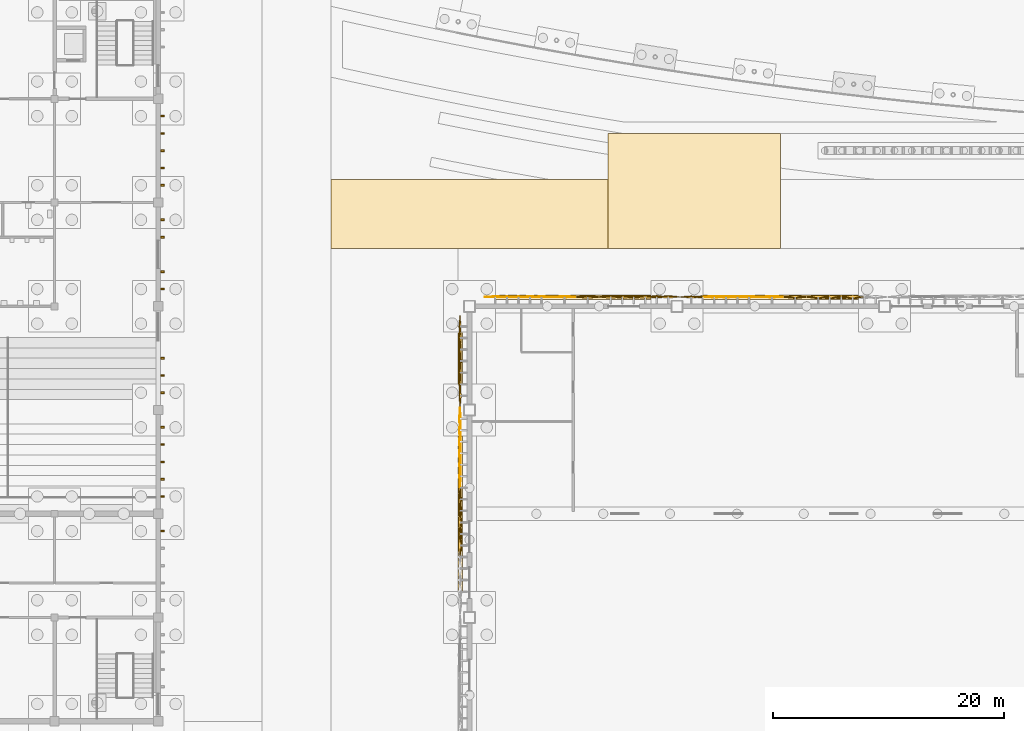
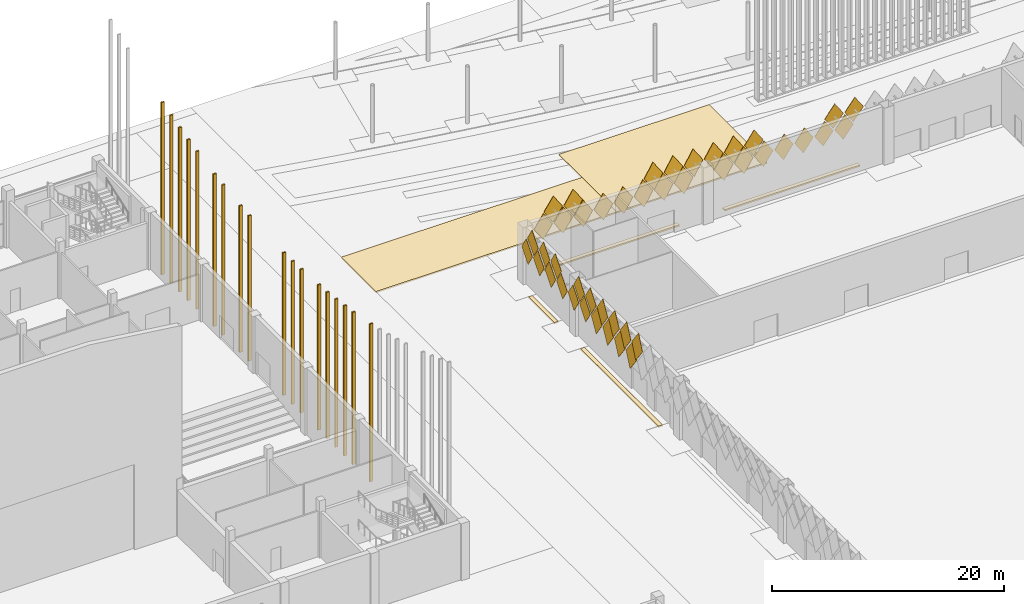
# One storey, part 169 of 198: 68 coverings.
"""IFC4 building model written with IfcOpenShell, lengths in metres."""

from ifc_helpers import new_model, si_unit, direction, frame, origin, origin_2d, place, context, subcontext, project, spatial, polyline, rectangle, outline, extrude, material, layer, layer_set, material_profile, profile_set, type_object, element, save


model = new_model("IFC4")

# Units and contexts
model_context = context("Model", 3, precision=1e-05, world=origin(), true_north=direction((0.0, 1.0)))
body_context = subcontext(model_context, "Body", "Model", "MODEL_VIEW")
ifc_project = project(units=[si_unit("LENGTHUNIT", "METRE"), si_unit("AREAUNIT", "SQUARE_METRE"), si_unit("VOLUMEUNIT", "CUBIC_METRE"), si_unit("PLANEANGLEUNIT", "RADIAN"), si_unit("MASSUNIT", "GRAM", prefix="KILO")], contexts=[model_context])

# Site, building, storey
site_placement = place(None, origin())
site = spatial("IfcSite", under=ifc_project, at=site_placement, CompositionType="ELEMENT")
building_placement = place(site_placement, origin())
building = spatial("IfcBuilding", under=site, at=building_placement, Name="Opaline Strait Convention Centre", CompositionType="ELEMENT")
storey_placement = place(building_placement, origin())
storey = spatial("IfcBuildingStorey", under=building, at=storey_placement, Name="L00", CompositionType="ELEMENT", Elevation=0.0)

# Coverings
ifc_material_1 = material(Name="White ceramic-faced aluminium tile", Category="aluminium")
ifc_material_profile_1 = material_profile(ifc_material_1, outline(polyline([(0.927978515625, 0.0), (0.0, 1.39208984375), (-0.927978515625, 0.0), (0.0, -1.39208984375), (0.927978515625, 0.0)])), Name="Diamond tile 1856x2784")
ifc_profile_set_1 = profile_set([ifc_material_profile_1], Name="White ceramic-faced aluminium tile")
covering_type_1 = type_object("IfcCoveringType", Name="Diamond wall tile 1856x2784x30 pivot 1 deg", PredefinedType="CLADDING", material=ifc_profile_set_1)
for number, where, z_axis, x_axis, name in (
    (1, (105.25, 153.800048828125, 4.39208984375), (0.0, 0.999702690643, -0.024382992455), (-1.0, 0.0, 0.0), "Wall tile XT02 N"),
    (2, (103.25, 153.800048828125, 4.39208984375), (0.0, 0.999867829764, 0.016258013492), (-1.0, 0.0, 0.0), "Wall tile XT02 N"),
    (3, (104.25, 153.800048828125, 5.89208984375), (0.0, 0.999702690643, -0.024382992455), (-1.0, 0.0, 0.0), "Wall tile XT02 N"),
    (4, (102.25, 153.800048828125, 5.89208984375), (0.0, 0.999867829764, 0.016258013492), (-1.0, 0.0, 0.0), "Wall tile XT02 N"),
):
    element("IfcCovering", number, at=place(storey_placement, frame(where, z_axis=z_axis, x_axis=x_axis)), inside=storey, type_object=covering_type_1, Name=name, PredefinedType="CLADDING", context=body_context, shape_type="SweptSolid", body=[
        extrude(outline(polyline([(0.927978515625, 0.0), (0.0, 1.39208984375), (-0.927978515625, 0.0), (0.0, -1.39208984375), (0.927978515625, 0.0)])), origin(), (0.0, 0.0, 1.0), 0.030029296875),
    ])
ifc_material_profile_2 = material_profile(ifc_material_1, outline(polyline([(0.927978515625, 0.0), (0.0, 1.39208984375), (-0.927978515625, 0.0), (0.0, -1.39208984375), (0.927978515625, 0.0)])), Name="Diamond tile 1856x2784")
ifc_profile_set_2 = profile_set([ifc_material_profile_2], Name="White ceramic-faced aluminium tile")
covering_type_2 = type_object("IfcCoveringType", Name="Diamond wall tile 1856x2784x30 pivot 1.5 deg", PredefinedType="CLADDING", material=ifc_profile_set_2)
for number, where, z_axis, x_axis, name in (
    (5, (107.25, 153.800048828125, 4.39208984375), (0.0, 0.999471633277, -0.032503142546), (-1.0, 0.0, 0.0), "Wall tile XT03 N"),
    (6, (101.25, 153.800048828125, 4.39208984375), (0.0, 0.999702690643, 0.024382992455), (-1.0, 0.0, 0.0), "Wall tile XT03 N"),
):
    element("IfcCovering", number, at=place(storey_placement, frame(where, z_axis=z_axis, x_axis=x_axis)), inside=storey, type_object=covering_type_2, Name=name, PredefinedType="CLADDING", context=body_context, shape_type="SweptSolid", body=[
        extrude(outline(polyline([(0.927978515625, 0.0), (0.0, 1.39208984375), (-0.927978515625, 0.0), (0.0, -1.39208984375), (0.927978515625, 0.0)])), origin(), (0.0, 0.0, 1.0), 0.030029296875),
    ])
ifc_material_profile_3 = material_profile(ifc_material_1, outline(polyline([(0.927978515625, 0.0), (0.0, 1.39208984375), (-0.927978515625, 0.0), (0.0, -1.39208984375), (0.927978515625, 0.0)])), Name="Diamond tile 1856x2784")
ifc_profile_set_3 = profile_set([ifc_material_profile_3], Name="White ceramic-faced aluminium tile")
covering_type_3 = type_object("IfcCoveringType", Name="Diamond wall tile 1856x2784x30 pivot 2 deg", PredefinedType="CLADDING", material=ifc_profile_set_3)
for number, where, z_axis, x_axis, name in (
    (7, (123.25, 153.800048828125, 4.39208984375), (0.0, 0.999471633277, 0.032503142546), (-1.0, 0.0, 0.0), "Wall tile XT04 N"),
    (8, (121.25, 153.800048828125, 4.39208984375), (0.0, 0.999174794796, -0.040616861577), (-1.0, 0.0, 0.0), "Wall tile XT04 N"),
    (9, (122.25, 153.800048828125, 5.89208984375), (0.0, 0.999471633277, 0.032503142546), (-1.0, 0.0, 0.0), "Wall tile XT04 N"),
    (10, (120.25, 153.800048828125, 5.89208984375), (0.0, 0.999174794796, -0.040616861577), (-1.0, 0.0, 0.0), "Wall tile XT04 N"),
    (11, (98.199951171875, 143.25, 4.39208984375), (-0.999174794796, 0.0, -0.040616861577), (0.0, -1.0, 0.0), "Wall tile XT04 W"),
    (12, (98.199951171875, 141.25, 4.39208984375), (-0.999174794796, 0.0, -0.040616861577), (0.0, -1.0, 0.0), "Wall tile XT04 W"),
    (13, (98.199951171875, 139.25, 4.39208984375), (-0.999471633277, 0.0, 0.032503142546), (0.0, -1.0, 0.0), "Wall tile XT04 W"),
    (14, (98.199951171875, 142.25, 5.89208984375), (-0.999174794796, 0.0, -0.040616861577), (0.0, -1.0, 0.0), "Wall tile XT04 W"),
    (15, (98.199951171875, 140.25, 5.89208984375), (-0.999174794796, 0.0, -0.040616861577), (0.0, -1.0, 0.0), "Wall tile XT04 W"),
    (16, (98.199951171875, 138.25, 5.89208984375), (-0.999471633277, 0.0, 0.032503142546), (0.0, -1.0, 0.0), "Wall tile XT04 W"),
):
    element("IfcCovering", number, at=place(storey_placement, frame(where, z_axis=z_axis, x_axis=x_axis)), inside=storey, type_object=covering_type_3, Name=name, PredefinedType="CLADDING", context=body_context, shape_type="SweptSolid", body=[
        extrude(outline(polyline([(0.927978515625, 0.0), (0.0, 1.39208984375), (-0.927978515625, 0.0), (0.0, -1.39208984375), (0.927978515625, 0.0)])), origin(), (0.0, 0.0, 1.0), 0.030029296875),
    ])
ifc_material_profile_4 = material_profile(ifc_material_1, outline(polyline([(0.927978515625, 0.0), (0.0, 1.39208984375), (-0.927978515625, 0.0), (0.0, -1.39208984375), (0.927978515625, 0.0)])), Name="Diamond tile 1856x2784")
ifc_profile_set_4 = profile_set([ifc_material_profile_4], Name="White ceramic-faced aluminium tile")
covering_type_4 = type_object("IfcCoveringType", Name="Diamond wall tile 1856x2784x30 pivot 2.5 deg", PredefinedType="CLADDING", material=ifc_profile_set_4)
for number, where, z_axis, x_axis, name in (
    (17, (125.25, 153.800048828125, 4.39208984375), (0.0, 0.999174794796, 0.040616861577), (-1.0, 0.0, 0.0), "Wall tile XT05 N"),
    (18, (118.25, 153.800048828125, 5.89208984375), (0.0, 0.998812351125, -0.048722553713), (-1.0, 0.0, 0.0), "Wall tile XT05 N"),
):
    element("IfcCovering", number, at=place(storey_placement, frame(where, z_axis=z_axis, x_axis=x_axis)), inside=storey, type_object=covering_type_4, Name=name, PredefinedType="CLADDING", context=body_context, shape_type="SweptSolid", body=[
        extrude(outline(polyline([(0.927978515625, 0.0), (0.0, 1.39208984375), (-0.927978515625, 0.0), (0.0, -1.39208984375), (0.927978515625, 0.0)])), origin(), (0.0, 0.0, 1.0), 0.030029296875),
    ])
ifc_material_profile_5 = material_profile(ifc_material_1, outline(polyline([(0.927978515625, 0.0), (0.0, 1.39208984375), (-0.927978515625, 0.0), (0.0, -1.39208984375), (0.927978515625, 0.0)])), Name="Diamond tile 1856x2784")
ifc_profile_set_5 = profile_set([ifc_material_profile_5], Name="White ceramic-faced aluminium tile")
covering_type_5 = type_object("IfcCoveringType", Name="Diamond wall tile 1856x2784x30 pivot 3 deg", PredefinedType="CLADDING", material=ifc_profile_set_5)
for number, where, z_axis, x_axis, name in (
    (19, (119.25, 153.800048828125, 4.39208984375), (0.0, 0.998384516691, -0.056818631031), (-1.0, 0.0, 0.0), "Wall tile XT06 N"),
    (20, (109.25, 153.800048828125, 4.39208984375), (0.0, 0.998384516691, -0.056818631031), (-1.0, 0.0, 0.0), "Wall tile XT06 N"),
    (21, (98.199951171875, 145.25, 4.39208984375), (-0.998384516691, 0.0, -0.056818631031), (0.0, -1.0, 0.0), "Wall tile XT06 W"),
    (22, (98.199951171875, 137.25, 4.39208984375), (-0.998812351125, 0.0, 0.048722553713), (0.0, -1.0, 0.0), "Wall tile XT06 W"),
):
    element("IfcCovering", number, at=place(storey_placement, frame(where, z_axis=z_axis, x_axis=x_axis)), inside=storey, type_object=covering_type_5, Name=name, PredefinedType="CLADDING", context=body_context, shape_type="SweptSolid", body=[
        extrude(outline(polyline([(0.927978515625, 0.0), (0.0, 1.39208984375), (-0.927978515625, 0.0), (0.0, -1.39208984375), (0.927978515625, 0.0)])), origin(), (0.0, 0.0, 1.0), 0.030029296875),
    ])
ifc_material_profile_6 = material_profile(ifc_material_1, outline(polyline([(0.927978515625, 0.0), (0.0, 1.39208984375), (-0.927978515625, 0.0), (0.0, -1.39208984375), (0.927978515625, 0.0)])), Name="Diamond tile 1856x2784")
ifc_profile_set_6 = profile_set([ifc_material_profile_6], Name="White ceramic-faced aluminium tile")
covering_type_6 = type_object("IfcCoveringType", Name="Diamond wall tile 1856x2784x30 pivot 3.5 deg", PredefinedType="CLADDING", material=ifc_profile_set_6)
for number, where, z_axis, x_axis, name in (
    (23, (98.199951171875, 151.25, 4.39208984375), (-0.99785694905, 0.0, -0.065433242561), (0.0, -1.0, 0.0), "Wall tile XT07 W"),
    (24, (98.199951171875, 149.25, 4.39208984375), (-0.99785694905, 0.0, -0.065433242561), (0.0, -1.0, 0.0), "Wall tile XT07 W"),
    (25, (98.199951171875, 147.25, 4.39208984375), (-0.99785694905, 0.0, -0.065433242561), (0.0, -1.0, 0.0), "Wall tile XT07 W"),
    (26, (98.199951171875, 150.25, 5.89208984375), (-0.99785694905, 0.0, -0.065433242561), (0.0, -1.0, 0.0), "Wall tile XT07 W"),
    (27, (98.199951171875, 146.25, 5.89208984375), (-0.99785694905, 0.0, -0.065433242561), (0.0, -1.0, 0.0), "Wall tile XT07 W"),
    (28, (98.199951171875, 136.25, 5.89208984375), (-0.99835799028, 0.0, 0.057282835508), (0.0, -1.0, 0.0), "Wall tile XT07 W"),
):
    element("IfcCovering", number, at=place(storey_placement, frame(where, z_axis=z_axis, x_axis=x_axis)), inside=storey, type_object=covering_type_6, Name=name, PredefinedType="CLADDING", context=body_context, shape_type="SweptSolid", body=[
        extrude(outline(polyline([(0.927978515625, 0.0), (0.0, 1.39208984375), (-0.927978515625, 0.0), (0.0, -1.39208984375), (0.927978515625, 0.0)])), origin(), (0.0, 0.0, 1.0), 0.02978515625),
    ])
ifc_material_profile_7 = material_profile(ifc_material_1, outline(polyline([(0.927978515625, 0.0), (0.0, 1.39208984375), (-0.927978515625, 0.0), (0.0, -1.39208984375), (0.927978515625, 0.0)])), Name="Diamond tile 1856x2784")
ifc_profile_set_7 = profile_set([ifc_material_profile_7], Name="White ceramic-faced aluminium tile")
covering_type_7 = type_object("IfcCoveringType", Name="Diamond wall tile 1856x2784x30 pivot 4 deg", PredefinedType="CLADDING", material=ifc_profile_set_7)
for number, where, z_axis, x_axis, name in (
    (29, (111.25, 153.800048828125, 4.39208984375), (0.0, 0.997290013252, -0.073570574748), (-1.0, 0.0, 0.0), "Wall tile XT08 N"),
    (30, (116.25, 153.800048828125, 5.89208984375), (0.0, 0.997290013252, -0.073570574748), (-1.0, 0.0, 0.0), "Wall tile XT08 N"),
    (31, (98.199951171875, 148.25, 5.89208984375), (-0.997290013252, 0.0, -0.073570574748), (0.0, -1.0, 0.0), "Wall tile XT08 W"),
):
    element("IfcCovering", number, at=place(storey_placement, frame(where, z_axis=z_axis, x_axis=x_axis)), inside=storey, type_object=covering_type_7, Name=name, PredefinedType="CLADDING", context=body_context, shape_type="SweptSolid", body=[
        extrude(outline(polyline([(0.927978515625, 0.0), (0.0, 1.39208984375), (-0.927978515625, 0.0), (0.0, -1.39208984375), (0.927978515625, 0.0)])), origin(), (0.0, 0.0, 1.0), 0.02978515625),
    ])
ifc_material_profile_8 = material_profile(ifc_material_1, outline(polyline([(0.927978515625, 0.0), (0.0, 1.39208984375), (-0.927978515625, 0.0), (0.0, -1.39208984375), (0.927978515625, 0.0)])), Name="Diamond tile 1856x2784")
ifc_profile_set_8 = profile_set([ifc_material_profile_8], Name="White ceramic-faced aluminium tile")
covering_type_8 = type_object("IfcCoveringType", Name="Diamond wall tile 1856x2784x30 pivot 4.5 deg", PredefinedType="CLADDING", material=ifc_profile_set_8)
for number, where, z_axis, x_axis, name in (
    (32, (127.25, 153.800048828125, 4.39208984375), (0.0, 0.997290013252, 0.073570574748), (-1.0, 0.0, 0.0), "Wall tile XT09 N"),
    (33, (115.25, 153.800048828125, 4.39208984375), (0.0, 0.996657521232, -0.081693239445), (-1.0, 0.0, 0.0), "Wall tile XT09 N"),
    (34, (113.25, 153.800048828125, 4.39208984375), (0.0, 0.996657521232, -0.081693239445), (-1.0, 0.0, 0.0), "Wall tile XT09 N"),
    (35, (114.25, 153.800048828125, 5.89208984375), (0.0, 0.996657521232, -0.081693239445), (-1.0, 0.0, 0.0), "Wall tile XT09 N"),
    (36, (112.25, 153.800048828125, 5.89208984375), (0.0, 0.996657521232, -0.081693239445), (-1.0, 0.0, 0.0), "Wall tile XT09 N"),
):
    element("IfcCovering", number, at=place(storey_placement, frame(where, z_axis=z_axis, x_axis=x_axis)), inside=storey, type_object=covering_type_8, Name=name, PredefinedType="CLADDING", context=body_context, shape_type="SweptSolid", body=[
        extrude(outline(polyline([(0.927978515625, 0.0), (0.0, 1.39208984375), (-0.927978515625, 0.0), (0.0, -1.39208984375), (0.927978515625, 0.0)])), origin(), (0.0, 0.0, 1.0), 0.02978515625),
    ])
ifc_material_profile_9 = material_profile(ifc_material_1, outline(polyline([(0.927978515625, 0.0), (0.0, 1.39208984375), (-0.927978515625, 0.0), (0.0, -1.39208984375), (0.927978515625, 0.0)])), Name="Diamond tile 1856x2784")
ifc_profile_set_9 = profile_set([ifc_material_profile_9], Name="White ceramic-faced aluminium tile")
covering_type_9 = type_object("IfcCoveringType", Name="Diamond wall tile 1856x2784x30 pivot 5 deg", PredefinedType="CLADDING", material=ifc_profile_set_9)
for number, where, z_axis, x_axis, name in (
    (37, (98.199951171875, 135.25, 4.39208984375), (-0.996657521232, 0.0, 0.081693239445), (0.0, -1.0, 0.0), "Wall tile XT10 W"),
    (38, (98.199951171875, 134.25, 5.89208984375), (-0.996657521232, 0.0, 0.081693239445), (0.0, -1.0, 0.0), "Wall tile XT10 W"),
):
    element("IfcCovering", number, at=place(storey_placement, frame(where, z_axis=z_axis, x_axis=x_axis)), inside=storey, type_object=covering_type_9, Name=name, PredefinedType="CLADDING", context=body_context, shape_type="SweptSolid", body=[
        extrude(outline(polyline([(0.927978515625, 0.0), (0.0, 1.39208984375), (-0.927978515625, 0.0), (0.0, -1.39208984375), (0.927978515625, 0.0)])), origin(), (0.0, 0.0, 1.0), 0.02978515625),
    ])
ifc_material_profile_10 = material_profile(ifc_material_1, outline(polyline([(0.927978515625, 0.0), (0.0, 1.39208984375), (-0.927978515625, 0.0), (0.0, -1.39208984375), (0.927978515625, 0.0)])), Name="Diamond tile 1856x2784")
ifc_profile_set_10 = profile_set([ifc_material_profile_10], Name="White ceramic-faced aluminium tile")
covering_type_10 = type_object("IfcCoveringType", Name="Diamond wall tile 1856x2784x30 pivot 5.5 deg", PredefinedType="CLADDING", material=ifc_profile_set_10)
covering_1_placement = place(storey_placement, frame((129.25, 153.800048828125, 4.39208984375), z_axis=(0.0, 0.995959849254, 0.089799658539), x_axis=(-1.0, 0.0, 0.0)))
element("IfcCovering", 39, at=covering_1_placement, inside=storey, type_object=covering_type_10, Name="Wall tile XT11 N", PredefinedType="CLADDING", context=body_context, shape_type="SweptSolid", body=[
    extrude(outline(polyline([(0.927978515625, 0.0), (0.0, 1.39208984375), (-0.927978515625, 0.0), (0.0, -1.39208984375), (0.927978515625, 0.0)])), origin(), (0.0, 0.0, 1.0), 0.02978515625),
])
ifc_material_profile_11 = material_profile(ifc_material_1, outline(polyline([(0.927978515625, 0.0), (0.0, 1.39208984375), (-0.927978515625, 0.0), (0.0, -1.39208984375), (0.927978515625, 0.0)])), Name="Diamond tile 1856x2784")
ifc_profile_set_11 = profile_set([ifc_material_profile_11], Name="White ceramic-faced aluminium tile")
covering_type_11 = type_object("IfcCoveringType", Name="Diamond wall tile 1856x2784x30 pivot 6 deg", PredefinedType="CLADDING", material=ifc_profile_set_11)
for number, where, z_axis, x_axis, name in (
    (40, (131.25, 153.800048828125, 4.39208984375), (0.0, 0.995197410875, 0.097888269922), (-1.0, 0.0, 0.0), "Wall tile XT12 N"),
    (41, (132.25, 153.800048828125, 5.89208984375), (0.0, 0.995197410875, 0.097888269922), (-1.0, 0.0, 0.0), "Wall tile XT12 N"),
    (42, (130.25, 153.800048828125, 5.89208984375), (0.0, 0.995197410875, 0.097888269922), (-1.0, 0.0, 0.0), "Wall tile XT12 N"),
    (43, (98.199951171875, 133.25, 4.39208984375), (-0.995197410875, 0.0, 0.097888269922), (0.0, -1.0, 0.0), "Wall tile XT12 W"),
    (44, (98.199951171875, 132.25, 5.89208984375), (-0.995197410875, 0.0, 0.097888269922), (0.0, -1.0, 0.0), "Wall tile XT12 W"),
):
    element("IfcCovering", number, at=place(storey_placement, frame(where, z_axis=z_axis, x_axis=x_axis)), inside=storey, type_object=covering_type_11, Name=name, PredefinedType="CLADDING", context=body_context, shape_type="SweptSolid", body=[
        extrude(outline(polyline([(0.927978515625, 0.0), (0.0, 1.39208984375), (-0.927978515625, 0.0), (0.0, -1.39208984375), (0.927978515625, 0.0)])), origin(), (0.0, 0.0, 1.0), 0.030029296875),
    ])
ifc_material_2 = material(Name="Concrete C30 red oxide", Category="concrete")
ifc_layer_1 = layer(ifc_material_2, 0.14990234375)
ifc_layer_set_1 = layer_set([ifc_layer_1], Name="Concrete C30 red oxide")
covering_type_12 = type_object("IfcCoveringType", Name="Fire lane concrete paving 150 C30", PredefinedType="FLOORING", material=ifc_layer_set_1)
covering_2_placement = place(storey_placement, frame((0.0, 0.0, -0.14990234375)))
element("IfcCovering", 45, at=covering_2_placement, inside=storey, type_object=covering_type_12, Name="External Fire Appliance Lane Exhibition North West surfacing", PredefinedType="FLOORING", context=body_context, shape_type="SweptSolid", body=[
    extrude(outline(polyline([(111.0, 164.0), (87.0, 164.0), (87.0, 158.0), (111.0, 158.0), (111.0, 164.0)])), origin(), (0.0, 0.0, 1.0), 0.14990234375),
])
covering_3_placement = place(storey_placement, frame((0.0, 0.0, -0.14990234375)))
element("IfcCovering", 46, at=covering_3_placement, inside=storey, type_object=covering_type_12, Name="Fire Rescue Pad Exhibition North 1 surfacing", PredefinedType="FLOORING", context=body_context, shape_type="SweptSolid", body=[
    extrude(outline(polyline([(111.0, 168.0), (111.0, 158.0), (126.0, 158.0), (126.0, 168.0), (111.0, 168.0)])), origin(), (0.0, 0.0, 1.0), 0.14990234375),
])
ifc_material_3 = material(Name="Glass fibre reinforced concrete, white", Category="concrete")
ifc_layer_2 = layer(ifc_material_3, 0.300048828125)
ifc_layer_set_2 = layer_set([ifc_layer_2], Name="Glass fibre reinforced concrete, white")
covering_type_13 = type_object("IfcCoveringType", Name="GRC rib 150 x 300", PredefinedType="CLADDING", material=ifc_layer_set_2)
covering_4_placement = place(storey_placement, frame((72.35009765625, 133.5, 0.0), z_axis=(0.0, 0.0, 1.0), x_axis=(1.0, 0.0, 0.0)))
element("IfcCovering", 47, at=covering_4_placement, inside=storey, type_object=covering_type_13, Name="PX1 rib east 11", PredefinedType="CLADDING", context=body_context, shape_type="SweptSolid", body=[
    extrude(rectangle(XDim=0.300048828125, YDim=0.14990234375, at=origin_2d()), origin(), (0.0, 0.0, 1.0), 16.627197265625),
])
covering_5_placement = place(storey_placement, frame((72.35009765625, 136.5, 0.0), z_axis=(0.0, 0.0, 1.0), x_axis=(1.0, 0.0, 0.0)))
element("IfcCovering", 48, at=covering_5_placement, inside=storey, type_object=covering_type_13, Name="PX1 rib east 13", PredefinedType="CLADDING", context=body_context, shape_type="SweptSolid", body=[
    extrude(rectangle(XDim=0.300048828125, YDim=0.14990234375, at=origin_2d()), origin(), (0.0, 0.0, 1.0), 16.055908203125),
])
covering_6_placement = place(storey_placement, frame((72.35009765625, 138.0, 0.0), z_axis=(0.0, 0.0, 1.0), x_axis=(1.0, 0.0, 0.0)))
element("IfcCovering", 49, at=covering_6_placement, inside=storey, type_object=covering_type_13, Name="PX1 rib east 14", PredefinedType="CLADDING", context=body_context, shape_type="SweptSolid", body=[
    extrude(rectangle(XDim=0.300048828125, YDim=0.14990234375, at=origin_2d()), origin(), (0.0, 0.0, 1.0), 15.81787109375),
])
covering_7_placement = place(storey_placement, frame((72.35009765625, 139.5, 0.0), z_axis=(0.0, 0.0, 1.0), x_axis=(1.0, 0.0, 0.0)))
element("IfcCovering", 50, at=covering_7_placement, inside=storey, type_object=covering_type_13, Name="PX1 rib east 15", PredefinedType="CLADDING", context=body_context, shape_type="SweptSolid", body=[
    extrude(rectangle(XDim=0.300048828125, YDim=0.14990234375, at=origin_2d()), origin(), (0.0, 0.0, 1.0), 15.611328125),
])
covering_8_placement = place(storey_placement, frame((72.35009765625, 141.0, 0.0), z_axis=(0.0, 0.0, 1.0), x_axis=(1.0, 0.0, 0.0)))
element("IfcCovering", 51, at=covering_8_placement, inside=storey, type_object=covering_type_13, Name="PX1 rib east 16", PredefinedType="CLADDING", context=body_context, shape_type="SweptSolid", body=[
    extrude(rectangle(XDim=0.300048828125, YDim=0.14990234375, at=origin_2d()), origin(), (0.0, 0.0, 1.0), 15.436767578125),
])
covering_9_placement = place(storey_placement, frame((72.35009765625, 142.5, 0.0), z_axis=(0.0, 0.0, 1.0), x_axis=(1.0, 0.0, 0.0)))
element("IfcCovering", 52, at=covering_9_placement, inside=storey, type_object=covering_type_13, Name="PX1 rib east 17", PredefinedType="CLADDING", context=body_context, shape_type="SweptSolid", body=[
    extrude(rectangle(XDim=0.300048828125, YDim=0.14990234375, at=origin_2d()), origin(), (0.0, 0.0, 1.0), 15.2939453125),
])
covering_10_placement = place(storey_placement, frame((72.35009765625, 145.5, 0.0), z_axis=(0.0, 0.0, 1.0), x_axis=(1.0, 0.0, 0.0)))
element("IfcCovering", 53, at=covering_10_placement, inside=storey, type_object=covering_type_13, Name="PX1 rib east 19", PredefinedType="CLADDING", context=body_context, shape_type="SweptSolid", body=[
    extrude(rectangle(XDim=0.300048828125, YDim=0.14990234375, at=origin_2d()), origin(), (0.0, 0.0, 1.0), 15.103515625),
])
covering_11_placement = place(storey_placement, frame((72.35009765625, 147.0, 0.0), z_axis=(0.0, 0.0, 1.0), x_axis=(1.0, 0.0, 0.0)))
element("IfcCovering", 54, at=covering_11_placement, inside=storey, type_object=covering_type_13, Name="PX1 rib east 20", PredefinedType="CLADDING", context=body_context, shape_type="SweptSolid", body=[
    extrude(rectangle(XDim=0.300048828125, YDim=0.14990234375, at=origin_2d()), origin(), (0.0, 0.0, 1.0), 15.055908203125),
])
covering_12_placement = place(storey_placement, frame((72.35009765625, 148.5, 0.0), z_axis=(0.0, 0.0, 1.0), x_axis=(1.0, 0.0, 0.0)))
element("IfcCovering", 55, at=covering_12_placement, inside=storey, type_object=covering_type_13, Name="PX1 rib east 21", PredefinedType="CLADDING", context=body_context, shape_type="SweptSolid", body=[
    extrude(rectangle(XDim=0.300048828125, YDim=0.14990234375, at=origin_2d()), origin(), (0.0, 0.0, 1.0), 15.0400390625),
])
covering_13_placement = place(storey_placement, frame((72.35009765625, 154.5, 0.0), z_axis=(0.0, 0.0, 1.0), x_axis=(1.0, 0.0, 0.0)))
element("IfcCovering", 56, at=covering_13_placement, inside=storey, type_object=covering_type_13, Name="PX1 rib east 25", PredefinedType="CLADDING", context=body_context, shape_type="SweptSolid", body=[
    extrude(rectangle(XDim=0.300048828125, YDim=0.14990234375, at=origin_2d()), origin(), (0.0, 0.0, 1.0), 15.2939453125),
])
covering_14_placement = place(storey_placement, frame((72.35009765625, 156.0, 0.0), z_axis=(0.0, 0.0, 1.0), x_axis=(1.0, 0.0, 0.0)))
element("IfcCovering", 57, at=covering_14_placement, inside=storey, type_object=covering_type_13, Name="PX1 rib east 26", PredefinedType="CLADDING", context=body_context, shape_type="SweptSolid", body=[
    extrude(rectangle(XDim=0.300048828125, YDim=0.14990234375, at=origin_2d()), origin(), (0.0, 0.0, 1.0), 15.436767578125),
])
covering_15_placement = place(storey_placement, frame((72.35009765625, 159.0, 0.0), z_axis=(0.0, 0.0, 1.0), x_axis=(1.0, 0.0, 0.0)))
element("IfcCovering", 58, at=covering_15_placement, inside=storey, type_object=covering_type_13, Name="PX1 rib east 28", PredefinedType="CLADDING", context=body_context, shape_type="SweptSolid", body=[
    extrude(rectangle(XDim=0.300048828125, YDim=0.14990234375, at=origin_2d()), origin(), (0.0, 0.0, 1.0), 15.81787109375),
])
covering_16_placement = place(storey_placement, frame((72.35009765625, 160.5, 0.0), z_axis=(0.0, 0.0, 1.0), x_axis=(1.0, 0.0, 0.0)))
element("IfcCovering", 59, at=covering_16_placement, inside=storey, type_object=covering_type_13, Name="PX1 rib east 29", PredefinedType="CLADDING", context=body_context, shape_type="SweptSolid", body=[
    extrude(rectangle(XDim=0.300048828125, YDim=0.14990234375, at=origin_2d()), origin(), (0.0, 0.0, 1.0), 16.055908203125),
])
covering_17_placement = place(storey_placement, frame((72.35009765625, 163.5, 0.0), z_axis=(0.0, 0.0, 1.0), x_axis=(1.0, 0.0, 0.0)))
element("IfcCovering", 60, at=covering_17_placement, inside=storey, type_object=covering_type_13, Name="PX1 rib east 31", PredefinedType="CLADDING", context=body_context, shape_type="SweptSolid", body=[
    extrude(rectangle(XDim=0.300048828125, YDim=0.14990234375, at=origin_2d()), origin(), (0.0, 0.0, 1.0), 16.627197265625),
])
covering_18_placement = place(storey_placement, frame((72.35009765625, 165.0, 0.0), z_axis=(0.0, 0.0, 1.0), x_axis=(1.0, 0.0, 0.0)))
element("IfcCovering", 61, at=covering_18_placement, inside=storey, type_object=covering_type_13, Name="PX1 rib east 32", PredefinedType="CLADDING", context=body_context, shape_type="SweptSolid", body=[
    extrude(rectangle(XDim=0.300048828125, YDim=0.14990234375, at=origin_2d()), origin(), (0.0, 0.0, 1.0), 16.960693359375),
])
covering_19_placement = place(storey_placement, frame((72.35009765625, 166.5, 0.0), z_axis=(0.0, 0.0, 1.0), x_axis=(1.0, 0.0, 0.0)))
element("IfcCovering", 62, at=covering_19_placement, inside=storey, type_object=covering_type_13, Name="PX1 rib east 33", PredefinedType="CLADDING", context=body_context, shape_type="SweptSolid", body=[
    extrude(rectangle(XDim=0.300048828125, YDim=0.14990234375, at=origin_2d()), origin(), (0.0, 0.0, 1.0), 17.32568359375),
])
covering_20_placement = place(storey_placement, frame((72.35009765625, 168.0, 0.0), z_axis=(0.0, 0.0, 1.0), x_axis=(1.0, 0.0, 0.0)))
element("IfcCovering", 63, at=covering_20_placement, inside=storey, type_object=covering_type_13, Name="PX1 rib east 34", PredefinedType="CLADDING", context=body_context, shape_type="SweptSolid", body=[
    extrude(rectangle(XDim=0.300048828125, YDim=0.14990234375, at=origin_2d()), origin(), (0.0, 0.0, 1.0), 17.722412109375),
])
covering_21_placement = place(storey_placement, frame((72.35009765625, 169.5, 0.0), z_axis=(0.0, 0.0, 1.0), x_axis=(1.0, 0.0, 0.0)))
element("IfcCovering", 64, at=covering_21_placement, inside=storey, type_object=covering_type_13, Name="PX1 rib east 35", PredefinedType="CLADDING", context=body_context, shape_type="SweptSolid", body=[
    extrude(rectangle(XDim=0.300048828125, YDim=0.14990234375, at=origin_2d()), origin(), (0.0, 0.0, 1.0), 18.151123046875),
])
ifc_material_4 = material(Name="Concrete C30 exposed aggregate", Category="concrete")
ifc_layer_3 = layer(ifc_material_4, 0.14990234375)
ifc_layer_set_3 = layer_set([ifc_layer_3], Name="Concrete C30 exposed aggregate")
covering_type_14 = type_object("IfcCoveringType", Name="Site paving 150", PredefinedType="FLOORING", material=ifc_layer_set_3)
covering_22_placement = place(storey_placement, frame((0.0, 0.0, -0.14990234375)))
element("IfcCovering", 65, at=covering_22_placement, inside=storey, type_object=covering_type_14, Name="Site paving surfacing", PredefinedType="FLOORING", context=body_context, shape_type="SweptSolid", body=[
    extrude(outline(polyline([(98.39501953125, 141.7451171875), (98.0, 141.7451171875), (98.0, 128.2548828125), (98.39501953125, 128.2548828125), (98.39501953125, 141.7451171875)])), origin(), (0.0, 0.0, 1.0), 0.14990234375),
])
covering_23_placement = place(storey_placement, frame((0.0, 0.0, -0.14990234375)))
element("IfcCovering", 66, at=covering_23_placement, inside=storey, type_object=covering_type_14, Name="Site paving surfacing", PredefinedType="FLOORING", context=body_context, shape_type="SweptSolid", body=[
    extrude(outline(polyline([(98.39501953125, 150.7451171875), (98.0, 150.7451171875), (98.0, 146.2548828125), (98.39501953125, 146.2548828125), (98.39501953125, 150.7451171875)])), origin(), (0.0, 0.0, 1.0), 0.14990234375),
])
covering_24_placement = place(storey_placement, frame((0.0, 0.0, -0.14990234375)))
element("IfcCovering", 67, at=covering_24_placement, inside=storey, type_object=covering_type_14, Name="Site paving surfacing", PredefinedType="FLOORING", context=body_context, shape_type="SweptSolid", body=[
    extrude(outline(polyline([(114.7451171875, 153.60498046875), (114.7451171875, 154.0), (101.2548828125, 154.0), (101.2548828125, 153.60498046875), (114.7451171875, 153.60498046875)])), origin(), (0.0, 0.0, 1.0), 0.14990234375),
])
covering_25_placement = place(storey_placement, frame((0.0, 0.0, -0.14990234375)))
element("IfcCovering", 68, at=covering_25_placement, inside=storey, type_object=covering_type_14, Name="Site paving surfacing", PredefinedType="FLOORING", context=body_context, shape_type="SweptSolid", body=[
    extrude(outline(polyline([(132.7451171875, 153.60498046875), (132.7451171875, 154.0), (119.2548828125, 154.0), (119.2548828125, 153.60498046875), (132.7451171875, 153.60498046875)])), origin(), (0.0, 0.0, 1.0), 0.14990234375),
])

save(model, "model.ifc")
